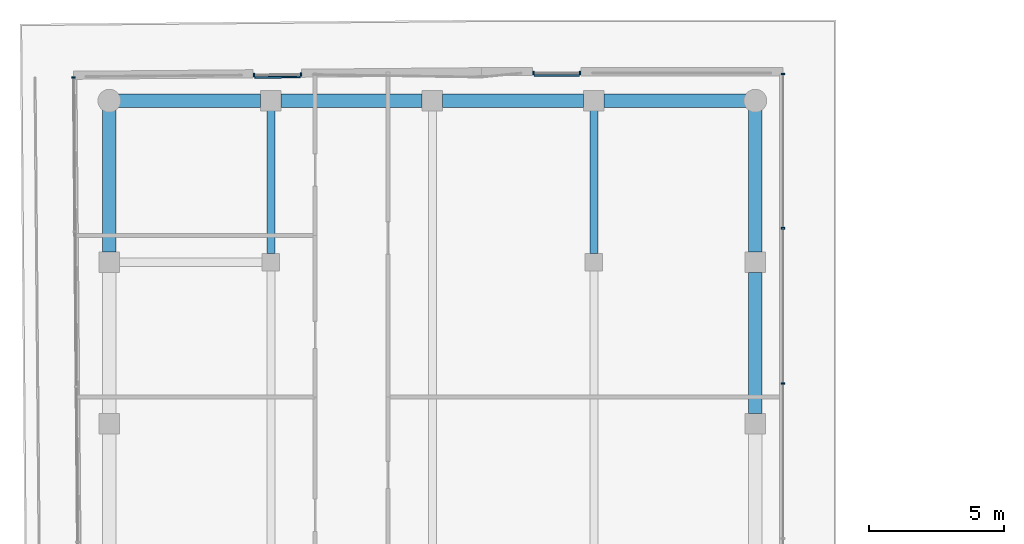
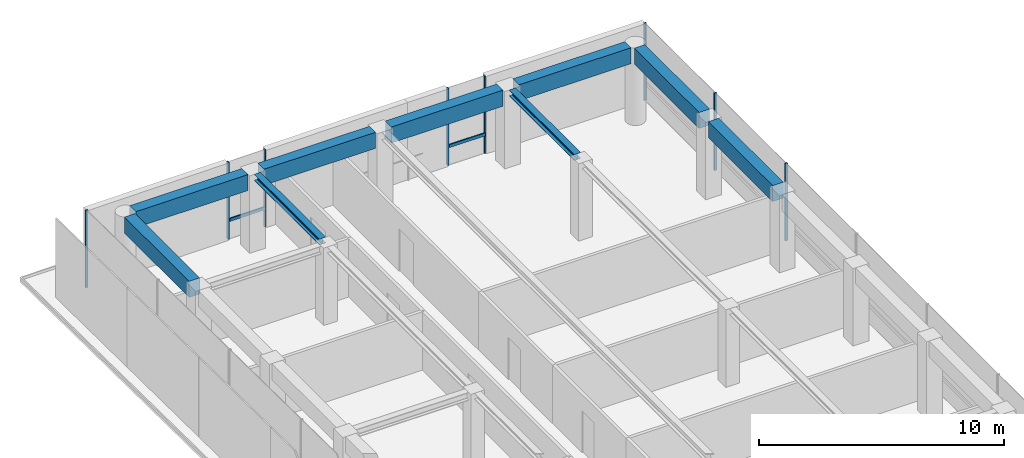
# One storey, part 12 of 18: 10 members, 9 beams, 4 elements without a shape of their own.
"""IFC4 building model written with IfcOpenShell, lengths in metres."""

from ifc_helpers import new_model, si_unit, direction, frame, origin, origin_2d, place, context, subcontext, project, spatial, rectangle, i_section, extrude, material, layer, layer_set, material_profile, profile_set, type_object, element, aggregate, save


model = new_model("IFC4")

# Units and contexts
model_context = context("Model", 3, precision=1e-05, world=origin(), true_north=direction((0.0, 1.0)))
body_context = subcontext(model_context, "Body", "Model", "MODEL_VIEW")
ifc_project = project(units=[si_unit("LENGTHUNIT", "METRE"), si_unit("AREAUNIT", "SQUARE_METRE"), si_unit("VOLUMEUNIT", "CUBIC_METRE"), si_unit("PLANEANGLEUNIT", "RADIAN"), si_unit("MASSUNIT", "GRAM", prefix="KILO")], contexts=[model_context])

# Site, building, storey
site_placement = place(None, origin())
site = spatial("IfcSite", under=ifc_project, at=site_placement, CompositionType="ELEMENT")
building_placement = place(site_placement, origin())
building = spatial("IfcBuilding", under=site, at=building_placement, Name="Welwitschia Terrace Campus", CompositionType="ELEMENT")
storey_placement = place(building_placement, frame((0.0, 0.0, 289.39990234375)))
storey = spatial("IfcBuildingStorey", under=building, at=storey_placement, Name="L64", CompositionType="ELEMENT", Elevation=289.39990234375)

# Beams
ifc_material_1 = material(Name="Steel S355", Category="steel")
ifc_material_profile_1 = material_profile(ifc_material_1, i_section(OverallWidth=0.300048828125, OverallDepth=0.300048828125, WebThickness=0.010986328125, FlangeThickness=0.01904296875, FilletRadius=0.027099609375, at=origin_2d()))
ifc_profile_set_1 = profile_set([ifc_material_profile_1], Name="Steel S355")
beam_type_1 = type_object("IfcBeamType", Name="Interior girder HE 300 B", PredefinedType="BEAM", material=ifc_profile_set_1)
for number, where, z_axis, x_axis, name in (
    (1, (6.0, 56.325439453125, 3.7001953125), (0.0, 1.0, 0.0), (-1.0, 0.0, 0.0), "Girder GB6"),
    (2, (18.0, 56.325439453125, 3.7001953125), (0.0, 1.0, 0.0), (-1.0, 0.0, 0.0), "Girder GB6"),
):
    element("IfcBeam", number, at=place(storey_placement, frame(where, z_axis=z_axis, x_axis=x_axis)), inside=storey, type_object=beam_type_1, Name=name, PredefinedType="BEAM", context=body_context, shape_type="SweptSolid", body=[
        extrude(i_section(OverallWidth=0.300048828125, OverallDepth=0.300048828125, WebThickness=0.010986328125, FlangeThickness=0.01904296875, FilletRadius=0.027099609375, at=origin_2d()), origin(), (0.0, 0.0, 1.0), 5.30908203125),
    ])

# Curtain wall, member
ifc_material_2 = material(Name="Bronze anodised aluminium", Category="aluminium")
ifc_layer = layer(ifc_material_2, 0.1201171875)
ifc_layer_set = layer_set([ifc_layer], Name="Bronze anodised aluminium")
curtain_wall_type = type_object("IfcCurtainWallType", Name="Curtain wall CW2 tower 6000", PredefinedType="NOTDEFINED", material=ifc_layer_set)
curtain_wall_1_placement = place(storey_placement, origin())
curtain_wall_1 = element("IfcCurtainWall", 3, at=curtain_wall_1_placement, inside=storey, type_object=curtain_wall_type, Name="CW L64.0.0", PredefinedType="NOTDEFINED")
ifc_material_3 = material(Name="Bronze anodised aluminium", Category="aluminium")
ifc_material_profile_2 = material_profile(ifc_material_3, rectangle(XDim=0.1201171875, YDim=0.06005859375, at=origin_2d()))
ifc_profile_set_2 = profile_set([ifc_material_profile_2], Name="Bronze anodised aluminium")
member_type_1 = type_object("IfcMemberType", Name="Mullion 60x120", PredefinedType="MULLION", material=ifc_profile_set_2)
member_1_placement = place(storey_placement, frame((-1.33154296875, 62.86767578125, 0.0), z_axis=(0.0, 0.0, 1.0), x_axis=(0.999961923064, 0.008726535498, 0.0)))
member_1 = element("IfcMember", 4, at=member_1_placement, type_object=member_type_1, Name="Mullion L64.0.0.0", PredefinedType="MULLION", context=body_context, shape_type="SweptSolid", body=[
    extrude(rectangle(XDim=0.1201171875, YDim=0.06005859375, at=origin_2d()), origin(), (0.0, 0.0, 1.0), 3.85009765625),
])
aggregate(curtain_wall_1, [member_1])

# Curtain wall, members
curtain_wall_2_placement = place(storey_placement, origin())
curtain_wall_2 = element("IfcCurtainWall", 5, at=curtain_wall_2_placement, inside=storey, type_object=curtain_wall_type, Name="CW L64.9.0", PredefinedType="NOTDEFINED")
member_2_placement = place(storey_placement, frame((25.030029296875, 51.498779296875, 0.0), z_axis=(0.0, 0.0, 1.0), x_axis=(-1.0, 0.0, 0.0)))
member_2 = element("IfcMember", 6, at=member_2_placement, type_object=member_type_1, Name="Mullion L64.9.0.4", PredefinedType="MULLION", context=body_context, shape_type="SweptSolid", body=[
    extrude(rectangle(XDim=0.1201171875, YDim=0.06005859375, at=origin_2d()), origin(), (0.0, 0.0, 1.0), 3.85009765625),
])
member_3_placement = place(storey_placement, frame((25.030029296875, 57.264404296875, 0.0), z_axis=(0.0, 0.0, 1.0), x_axis=(-1.0, 0.0, 0.0)))
member_3 = element("IfcMember", 7, at=member_3_placement, type_object=member_type_1, Name="Mullion L64.9.0.5", PredefinedType="MULLION", context=body_context, shape_type="SweptSolid", body=[
    extrude(rectangle(XDim=0.1201171875, YDim=0.06005859375, at=origin_2d()), origin(), (0.0, 0.0, 1.0), 3.85009765625),
])
member_4_placement = place(storey_placement, frame((25.030029296875, 63.0, 0.0), z_axis=(0.0, 0.0, 1.0), x_axis=(-1.0, 0.0, 0.0)))
member_4 = element("IfcMember", 8, at=member_4_placement, type_object=member_type_1, Name="Mullion L64.9.0.6", PredefinedType="MULLION", context=body_context, shape_type="SweptSolid", body=[
    extrude(rectangle(XDim=0.1201171875, YDim=0.06005859375, at=origin_2d()), origin(), (0.0, 0.0, 1.0), 3.85009765625),
])
aggregate(curtain_wall_2, [member_2, member_3, member_4])

curtain_wall_3_placement = place(storey_placement, origin())
curtain_wall_3 = element("IfcCurtainWall", 9, at=curtain_wall_3_placement, inside=storey, type_object=curtain_wall_type, Name="CW L64.10.S0", PredefinedType="NOTDEFINED")
member_5_placement = place(storey_placement, frame((17.493896484375, 63.030029296875, 0.0), z_axis=(0.0, 0.0, 1.0), x_axis=(0.0, -1.0, 0.0)))
member_5 = element("IfcMember", 10, at=member_5_placement, type_object=member_type_1, Name="Mullion L64.10.S0.0", PredefinedType="MULLION", context=body_context, shape_type="SweptSolid", body=[
    extrude(rectangle(XDim=0.1201171875, YDim=0.06005859375, at=origin_2d()), origin(), (0.0, 0.0, 1.0), 3.85009765625),
])
member_6_placement = place(storey_placement, frame((15.75390625, 63.030029296875, 0.0), z_axis=(0.0, 0.0, 1.0), x_axis=(0.0, -1.0, 0.0)))
member_6 = element("IfcMember", 11, at=member_6_placement, type_object=member_type_1, Name="Mullion L64.10.S0.1", PredefinedType="MULLION", context=body_context, shape_type="SweptSolid", body=[
    extrude(rectangle(XDim=0.1201171875, YDim=0.06005859375, at=origin_2d()), origin(), (0.0, 0.0, 1.0), 3.85009765625),
])

curtain_wall_4_placement = place(storey_placement, origin())
curtain_wall_4 = element("IfcCurtainWall", 12, at=curtain_wall_4_placement, inside=storey, type_object=curtain_wall_type, Name="CW L64.11.S0", PredefinedType="NOTDEFINED")
member_7_placement = place(storey_placement, frame((7.114990234375, 62.971435546875, 0.0), z_axis=(0.0, 0.0, 1.0), x_axis=(0.008726535498, -0.999961923064, 0.0)))
member_7 = element("IfcMember", 13, at=member_7_placement, type_object=member_type_1, Name="Mullion L64.11.S0.0", PredefinedType="MULLION", context=body_context, shape_type="SweptSolid", body=[
    extrude(rectangle(XDim=0.1201171875, YDim=0.06005859375, at=origin_2d()), origin(), (0.0, 0.0, 1.0), 3.85009765625),
])
member_8_placement = place(storey_placement, frame((5.375, 62.956298828125, 0.0), z_axis=(0.0, 0.0, 1.0), x_axis=(0.008726535498, -0.999961923064, 0.0)))
member_8 = element("IfcMember", 14, at=member_8_placement, type_object=member_type_1, Name="Mullion L64.11.S0.1", PredefinedType="MULLION", context=body_context, shape_type="SweptSolid", body=[
    extrude(rectangle(XDim=0.1201171875, YDim=0.06005859375, at=origin_2d()), origin(), (0.0, 0.0, 1.0), 3.85009765625),
])

# Beams
ifc_material_4 = material(Name="Concrete C50/60", Category="concrete")
ifc_material_profile_3 = material_profile(ifc_material_4, rectangle(XDim=0.5, YDim=0.800048828125, at=origin_2d()))
ifc_profile_set_3 = profile_set([ifc_material_profile_3], Name="Concrete C50/60")
beam_type_2 = type_object("IfcBeamType", Name="Ring spandrel 500x800", PredefinedType="SPANDREL", material=ifc_profile_set_3)
beam_placement = place(storey_placement, frame((24.0, 50.37548828125, 3.4501953125), z_axis=(0.0, 1.0, 0.0), x_axis=(-1.0, 0.0, 0.0)))
element("IfcBeam", 15, at=beam_placement, inside=storey, type_object=beam_type_2, Name="Spandrel SP4", PredefinedType="SPANDREL", context=body_context, shape_type="SweptSolid", body=[
    extrude(rectangle(XDim=0.5, YDim=0.800048828125, at=origin_2d()), origin(), (0.0, 0.0, 1.0), 5.2490234375),
])
for number, where, z_axis, x_axis, name in (
    (16, (24.0, 56.37548828125, 3.4501953125), (0.0, 1.0, 0.0), (-1.0, 0.0, 0.0), "Spandrel SP4"),
    (17, (23.655517578125, 62.0, 3.4501953125), (-1.0, 0.0, 0.0), (0.0, -1.0, 0.0), "Spandrel SP4"),
):
    element("IfcBeam", number, at=place(storey_placement, frame(where, z_axis=z_axis, x_axis=x_axis)), inside=storey, type_object=beam_type_2, Name=name, PredefinedType="SPANDREL", context=body_context, shape_type="SweptSolid", body=[
        extrude(rectangle(XDim=0.5, YDim=0.800048828125, at=origin_2d()), origin(), (0.0, 0.0, 1.0), 5.280029296875),
    ])
for number, where, z_axis, x_axis, name in (
    (18, (17.62451171875, 62.0, 3.4501953125), (-1.0, 0.0, 0.0), (0.0, -1.0, 0.0), "Spandrel SP4"),
    (19, (11.62451171875, 62.0, 3.4501953125), (-1.0, 0.0, 0.0), (0.0, -1.0, 0.0), "Spandrel SP4"),
):
    element("IfcBeam", number, at=place(storey_placement, frame(where, z_axis=z_axis, x_axis=x_axis)), inside=storey, type_object=beam_type_2, Name=name, PredefinedType="SPANDREL", context=body_context, shape_type="SweptSolid", body=[
        extrude(rectangle(XDim=0.5, YDim=0.800048828125, at=origin_2d()), origin(), (0.0, 0.0, 1.0), 5.2490234375),
    ])
for number, where, z_axis, x_axis, name in (
    (20, (5.62451171875, 62.0, 3.4501953125), (-1.0, 0.0, 0.0), (0.0, -1.0, 0.0), "Spandrel SP4"),
    (21, (0.0, 61.655517578125, 3.4501953125), (0.0, -1.0, 0.0), (1.0, 0.0, 0.0), "Spandrel SP4"),
):
    element("IfcBeam", number, at=place(storey_placement, frame(where, z_axis=z_axis, x_axis=x_axis)), inside=storey, type_object=beam_type_2, Name=name, PredefinedType="SPANDREL", context=body_context, shape_type="SweptSolid", body=[
        extrude(rectangle(XDim=0.5, YDim=0.800048828125, at=origin_2d()), origin(), (0.0, 0.0, 1.0), 5.280029296875),
    ])

# Member
ifc_material_5 = material(Name="Bronze anodised aluminium", Category="aluminium")
ifc_material_profile_4 = material_profile(ifc_material_5, rectangle(XDim=0.06005859375, YDim=0.14990234375, at=origin_2d()))
ifc_profile_set_4 = profile_set([ifc_material_profile_4], Name="Bronze anodised aluminium")
member_type_2 = type_object("IfcMemberType", Name="Transom 60x150", PredefinedType="USERDEFINED", material=ifc_profile_set_4)
member_9_placement = place(storey_placement, frame((17.4638671875, 62.93994140625, 1.0), z_axis=(-1.0, 0.0, 0.0), x_axis=(0.0, -1.0, 0.0)))
member_9 = element("IfcMember", 22, at=member_9_placement, type_object=member_type_2, Name="Transom L64.10.S0", ObjectType="TRANSOM", PredefinedType="USERDEFINED", context=body_context, shape_type="SweptSolid", body=[
    extrude(rectangle(XDim=0.06005859375, YDim=0.14990234375, at=origin_2d()), origin(), (0.0, 0.0, 1.0), 1.679931640625),
])

aggregate(curtain_wall_3, [member_5, member_6, member_9])

member_10_placement = place(storey_placement, frame((7.085693359375, 62.881103515625, 1.0), z_axis=(-0.999961985908, -0.00871933137, 0.0), x_axis=(0.00871933137, -0.999961985908, 0.0)))
member_10 = element("IfcMember", 23, at=member_10_placement, type_object=member_type_2, Name="Transom L64.11.S0", ObjectType="TRANSOM", PredefinedType="USERDEFINED", context=body_context, shape_type="SweptSolid", body=[
    extrude(rectangle(XDim=0.06005859375, YDim=0.14990234375, at=origin_2d()), origin(), (0.0, 0.0, 1.0), 1.679931640625),
])

aggregate(curtain_wall_4, [member_7, member_8, member_10])

save(model, "model.ifc")
